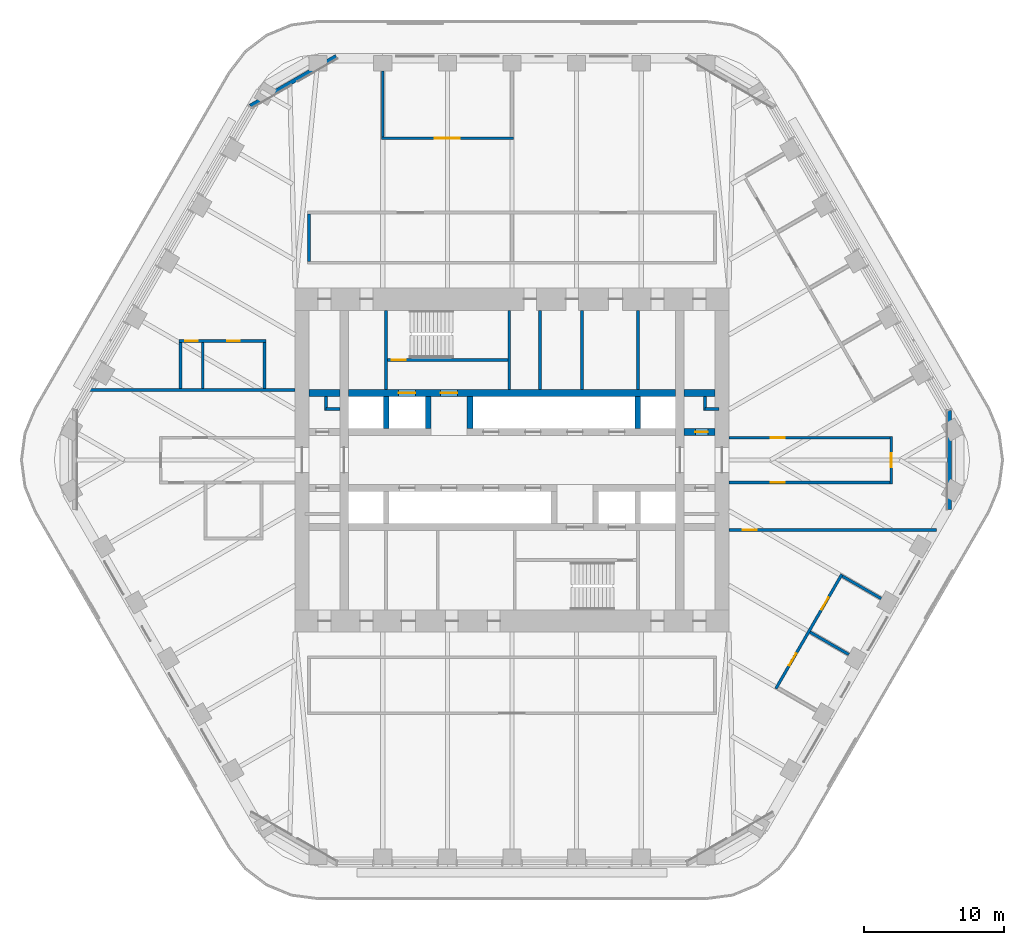
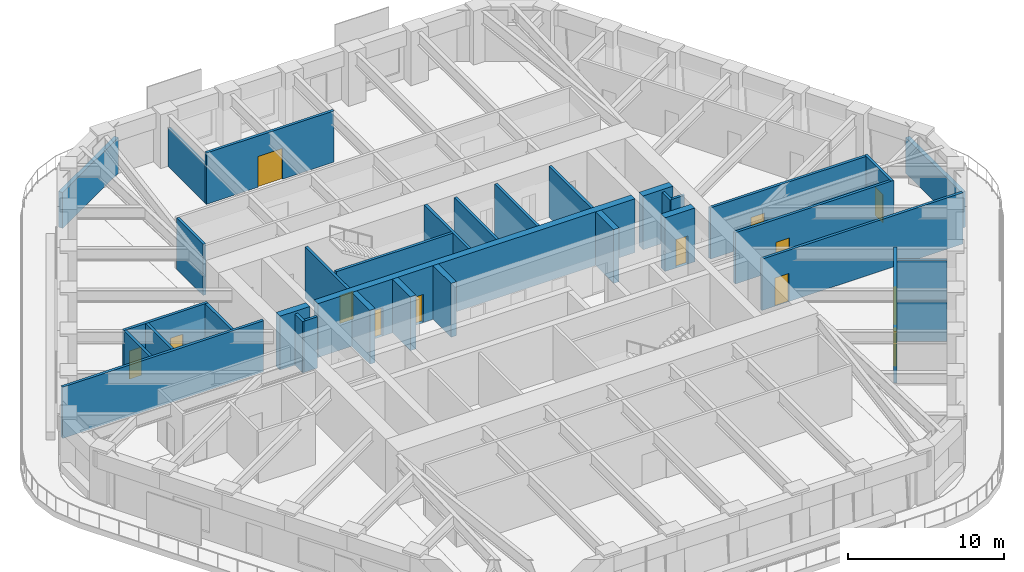
# One storey, part 16 of 20: 35 walls, 13 doors, 13 openings.
"""IFC4 building model written with IfcOpenShell, lengths in metres."""

from ifc_helpers import new_model, si_unit, direction, frame, frame_2d, origin, place, context, subcontext, project, spatial, rectangle, extrude, material, layer, layer_set, type_object, element, fill, save


model = new_model("IFC4")

# Units and contexts
model_context = context("Model", 3, precision=1e-05, world=origin(), true_north=direction((0.0, 1.0)))
body_context = subcontext(model_context, "Body", "Model", "MODEL_VIEW")
ifc_project = project(units=[si_unit("LENGTHUNIT", "METRE"), si_unit("AREAUNIT", "SQUARE_METRE"), si_unit("VOLUMEUNIT", "CUBIC_METRE"), si_unit("PLANEANGLEUNIT", "RADIAN"), si_unit("MASSUNIT", "GRAM", prefix="KILO")], contexts=[model_context])

# Site, building, storey
site_placement = place(None, origin())
site = spatial("IfcSite", under=ifc_project, at=site_placement, CompositionType="ELEMENT")
building_placement = place(site_placement, origin())
building = spatial("IfcBuilding", under=site, at=building_placement, Name="Tarfa Lantern Tower", CompositionType="ELEMENT")
storey_placement = place(building_placement, frame((0.0, 0.0, 236.5)))
storey = spatial("IfcBuildingStorey", under=building, at=storey_placement, Name="L53", CompositionType="ELEMENT", Elevation=236.5)

# Walls
ifc_material_1 = material(Name="Limestone cladding on blockwork", Category="masonry")
ifc_layer_1 = layer(ifc_material_1, 0.300048828125)
ifc_layer_set_1 = layer_set([ifc_layer_1], Name="EW1 STONE-CLAD WALL 300")
wall_type_1 = type_object("IfcWallType", Name="EW1 STONE-CLAD WALL 300", PredefinedType="SOLIDWALL", material=ifc_layer_set_1)
wall_1_placement = place(storey_placement, frame((-12.556396484375, 28.85009765625, 0.0), z_axis=(0.0, 0.0, 1.0), x_axis=(-0.866010973379, -0.500024993363, 0.0)))
element("IfcWall", 1, at=wall_1_placement, inside=storey, type_object=wall_type_1, Name="Garden wall N-NW", PredefinedType="SOLIDWALL", context=body_context, shape_type="SweptSolid", body=[
    extrude(rectangle(XDim=7.101806640625, YDim=0.300048828125, at=frame_2d((3.55078125, 0.0))), origin(), (0.0, 0.0, 1.0), 2.800048828125),
])
wall_2_placement = place(storey_placement, frame((31.262939453125, -3.55078125, 0.0), z_axis=(0.0, 0.0, 1.0), x_axis=(0.0, 1.0, 0.0)))
element("IfcWall", 2, at=wall_2_placement, inside=storey, type_object=wall_type_1, Name="Garden wall SE-NE", PredefinedType="SOLIDWALL", context=body_context, shape_type="SweptSolid", body=[
    extrude(rectangle(XDim=7.1015625, YDim=0.300048828125, at=frame_2d((3.55078125, 0.0))), origin(), (0.0, 0.0, 1.0), 2.800048828125),
])
ifc_material_2 = material(Name="Concrete blockwork", Category="masonry")
ifc_layer_2 = layer(ifc_material_2, 0.199951171875)
ifc_layer_set_2 = layer_set([ifc_layer_2], Name="IW1 BLOCKWORK PARTITION 200 EI 120")
wall_type_2 = type_object("IfcWallType", Name="IW1 BLOCKWORK PARTITION 200 EI 120", PredefinedType="PARTITIONING", material=ifc_layer_set_2)
for number, where, z_axis, x_axis, name in (
    (3, (-9.0, 5.050048828125, 0.0), (0.0, 0.0, 1.0), (0.0, 1.0, 0.0), "Core partition"),
    (4, (9.0, 5.050048828125, 0.0), (0.0, 0.0, 1.0), (0.0, 1.0, 0.0), "Core partition"),
    (5, (2.0, 5.050048828125, 0.0), (0.0, 0.0, 1.0), (0.0, 1.0, 0.0), "Core partition"),
    (6, (5.0, 5.050048828125, 0.0), (0.0, 0.0, 1.0), (0.0, 1.0, 0.0), "Core partition"),
):
    element("IfcWall", number, at=place(storey_placement, frame(where, z_axis=z_axis, x_axis=x_axis)), inside=storey, type_object=wall_type_2, Name=name, PredefinedType="PARTITIONING", context=body_context, shape_type="SweptSolid", body=[
        extrude(rectangle(XDim=5.64990234375, YDim=0.199951171875, at=frame_2d((2.824951171875, 0.0))), origin(), (0.0, 0.0, 1.0), 4.0),
    ])
for number, where, z_axis, x_axis, name in (
    (7, (-13.300048828125, 3.64990234375, 0.0), (0.0, 0.0, 1.0), (1.0, 0.0, 0.0), "Core partition"),
    (8, (-13.300048828125, 3.550048828125, 0.0), (0.0, 0.0, 1.0), (0.0, 1.0, 0.0), "Core partition"),
    (9, (13.800048828125, 3.64990234375, 0.0), (0.0, 0.0, 1.0), (1.0, 0.0, 0.0), "Core partition"),
    (10, (13.800048828125, 3.550048828125, 0.0), (0.0, 0.0, 1.0), (0.0, 1.0, 0.0), "Core partition"),
):
    element("IfcWall", number, at=place(storey_placement, frame(where, z_axis=z_axis, x_axis=x_axis)), inside=storey, type_object=wall_type_2, Name=name, PredefinedType="PARTITIONING", context=body_context, shape_type="SweptSolid", body=[
        extrude(rectangle(XDim=1.0, YDim=0.199951171875, at=frame_2d((0.5, 0.0))), origin(), (0.0, 0.0, 1.0), 4.0),
    ])
ifc_material_3 = material(Name="Gypsum board on steel studs", Category="steel")
ifc_layer_3 = layer(ifc_material_3, 0.2099609375)
ifc_layer_set_3 = layer_set([ifc_layer_3], Name="IW2 ACOUSTIC PARTITION 200")
wall_type_3 = type_object("IfcWallType", Name="IW2 ACOUSTIC PARTITION 200", PredefinedType="PARTITIONING", material=ifc_layer_set_3)
wall_3_placement = place(storey_placement, frame((-14.5, 14.199951171875, 0.0), z_axis=(0.0, 0.0, 1.0), x_axis=(0.0, 1.0, 0.0)))
element("IfcWall", 11, at=wall_3_placement, inside=storey, type_object=wall_type_3, Name="Partition", PredefinedType="PARTITIONING", context=body_context, shape_type="SweptSolid", body=[
    extrude(rectangle(XDim=3.400146484375, YDim=0.199951171875, at=frame_2d((1.7001953125, 0.0))), origin(), (0.0, 0.0, 1.0), 4.0),
])

# Wall, opening, door
wall_4_placement = place(storey_placement, frame((0.10009765625, 23.0, 0.0), z_axis=(0.0, 0.0, 1.0), x_axis=(-1.0, 0.0, 0.0)))
wall_4 = element("IfcWall", 12, at=wall_4_placement, inside=storey, type_object=wall_type_3, Name="Partition", PredefinedType="PARTITIONING", context=body_context, shape_type="SweptSolid", body=[
    extrude(rectangle(XDim=9.437744140625, YDim=0.199951171875, at=frame_2d((4.71875, 0.0))), origin(), (0.0, 0.0, 1.0), 4.0),
])
opening_1_placement = place(wall_4_placement, frame((3.81884765625, 0.0, 0.0)))
opening_1 = element("IfcOpeningElement", 13, at=opening_1_placement, cuts=wall_4, Name="Opening D27", PredefinedType="OPENING", context=body_context, shape_type="SweptSolid", body=[
    extrude(rectangle(XDim=1.800048828125, YDim=2.39990234375, at=frame_2d((0.89990234375, 1.199951171875))), frame((0.0, 0.10986328125, 0.0), z_axis=(0.0, -1.0, 0.0), x_axis=(1.0, 0.0, 0.0)), (0.0, 0.0, 1.0), 0.219970703125),
])
ifc_material_4 = material(Name="Timber door", Category="wood")
door_type_1 = type_object("IfcDoorType", Name="DR2 ROOM DOOR 1800x2400", OperationType="DOUBLE_DOOR_SINGLE_SWING", PredefinedType="DOOR", material=ifc_material_4)
door_1_placement = place(opening_1_placement, frame((1.800048828125, 0.0, 0.0), z_axis=(0.0, 0.0, 1.0), x_axis=(-1.0, 0.0, 0.0)))
door_1 = element("IfcDoor", 14, at=door_1_placement, inside=storey, type_object=door_type_1, Name="Hearing room door", OperationType="DOUBLE_DOOR_SINGLE_SWING", OverallHeight=2.39990234375, OverallWidth=1.800048828125, PredefinedType="DOOR", context=body_context, shape_type="SweptSolid", body=[
    extrude(rectangle(XDim=1.800048828125, YDim=2.39990234375, at=frame_2d((0.89990234375, 1.199951171875))), frame((0.0, 0.02490234375, 0.0), z_axis=(0.0, -1.0, 0.0), x_axis=(1.0, 0.0, 0.0)), (0.0, 0.0, 1.0), 0.050048828125),
])
fill(opening_1, door_1)

# Wall
wall_5_placement = place(storey_placement, frame((-9.237548828125, 23.10009765625, 0.0), z_axis=(0.0, 0.0, 1.0), x_axis=(0.0, 1.0, 0.0)))
element("IfcWall", 15, at=wall_5_placement, inside=storey, type_object=wall_type_3, Name="Partition", PredefinedType="PARTITIONING", context=body_context, shape_type="SweptSolid", body=[
    extrude(rectangle(XDim=4.699951171875, YDim=0.199951171875, at=frame_2d((2.35009765625, 0.0))), origin(), (0.0, 0.0, 1.0), 2.991943359375),
])

# Wall, openings, doors
wall_6_placement = place(storey_placement, frame((18.858154296875, -16.336669921875, 0.0), z_axis=(0.0, 0.0, 1.0), x_axis=(0.499989672313, 0.866031366395, 0.0)))
wall_6 = element("IfcWall", 16, at=wall_6_placement, inside=storey, type_object=wall_type_3, Name="Partition", PredefinedType="PARTITIONING", context=body_context, shape_type="SweptSolid", body=[
    extrude(rectangle(XDim=9.437744140625, YDim=0.199951171875, at=frame_2d((4.71875, 0.0))), origin(), (0.0, 0.0, 1.0), 4.0),
])
opening_2_placement = place(wall_6_placement, frame((1.909423828125, 0.0, 0.0)))
opening_2 = element("IfcOpeningElement", 17, at=opening_2_placement, cuts=wall_6, Name="Opening D32", PredefinedType="OPENING", context=body_context, shape_type="SweptSolid", body=[
    extrude(rectangle(XDim=1.0, YDim=2.199951171875, at=frame_2d((0.5, 1.10009765625))), frame((0.0, 0.10986328125, 0.0), z_axis=(0.0, -1.0, 0.0), x_axis=(1.0, 0.0, 0.0)), (0.0, 0.0, 1.0), 0.219970703125),
])
opening_3_placement = place(wall_6_placement, frame((6.5283203125, 0.0, 0.0)))
opening_3 = element("IfcOpeningElement", 18, at=opening_3_placement, cuts=wall_6, Name="Opening D33", PredefinedType="OPENING", context=body_context, shape_type="SweptSolid", body=[
    extrude(rectangle(XDim=1.0, YDim=2.199951171875, at=frame_2d((0.5, 1.10009765625))), frame((0.0, 0.10986328125, 0.0), z_axis=(0.0, -1.0, 0.0), x_axis=(1.0, 0.0, 0.0)), (0.0, 0.0, 1.0), 0.219970703125),
])
door_type_2 = type_object("IfcDoorType", Name="DR1 ROOM DOOR 1000x2200", OperationType="SINGLE_SWING_LEFT", PredefinedType="DOOR", material=ifc_material_4)
door_2_placement = place(opening_2_placement, frame((1.0, 0.0, 0.0), z_axis=(0.0, 0.0, 1.0), x_axis=(-1.0, 0.0, 0.0)))
door_2 = element("IfcDoor", 19, at=door_2_placement, inside=storey, type_object=door_type_2, Name="Investigator's office door", OperationType="SINGLE_SWING_LEFT", OverallHeight=2.199951171875, OverallWidth=1.0, PredefinedType="DOOR", context=body_context, shape_type="SweptSolid", body=[
    extrude(rectangle(XDim=1.0, YDim=2.199951171875, at=frame_2d((0.5, 1.10009765625))), frame((0.0, 0.02490234375, 0.0), z_axis=(0.0, -1.0, 0.0), x_axis=(1.0, 0.0, 0.0)), (0.0, 0.0, 1.0), 0.050048828125),
])
fill(opening_2, door_2)
door_3_placement = place(opening_3_placement, frame((1.0, 0.0, 0.0), z_axis=(0.0, 0.0, 1.0), x_axis=(-1.0, 0.0, 0.0)))
door_3 = element("IfcDoor", 20, at=door_3_placement, inside=storey, type_object=door_type_2, Name="Investigator's office door", OperationType="SINGLE_SWING_RIGHT", OverallHeight=2.199951171875, OverallWidth=1.0, PredefinedType="DOOR", context=body_context, shape_type="SweptSolid", body=[
    extrude(rectangle(XDim=1.0, YDim=2.199951171875, at=frame_2d((0.5, 1.10009765625))), frame((0.0, 0.02490234375, 0.0), z_axis=(0.0, -1.0, 0.0), x_axis=(1.0, 0.0, 0.0)), (0.0, 0.0, 1.0), 0.050048828125),
])
fill(opening_3, door_3)

# Walls
wall_7_placement = place(storey_placement, frame((21.30419921875, -12.300048828125, 0.0), z_axis=(0.0, 0.0, 1.0), x_axis=(0.866042017984, -0.499971222258, 0.0)))
element("IfcWall", 21, at=wall_7_placement, inside=storey, type_object=wall_type_3, Name="Partition", PredefinedType="PARTITIONING", context=body_context, shape_type="SweptSolid", body=[
    extrude(rectangle(XDim=3.199951171875, YDim=0.199951171875, at=frame_2d((1.60009765625, 0.0))), origin(), (0.0, 0.0, 1.0), 3.08154296875),
])
wall_8_placement = place(storey_placement, frame((23.613525390625, -8.300048828125, 0.0), z_axis=(0.0, 0.0, 1.0), x_axis=(0.866061088033, -0.499938187974, 0.0)))
element("IfcWall", 22, at=wall_8_placement, inside=storey, type_object=wall_type_3, Name="Partition", PredefinedType="PARTITIONING", context=body_context, shape_type="SweptSolid", body=[
    extrude(rectangle(XDim=3.2001953125, YDim=0.199951171875, at=frame_2d((1.60009765625, 0.0))), origin(), (0.0, 0.0, 1.0), 3.08154296875),
])

# Wall, opening, door
wall_9_placement = place(storey_placement, frame((15.5, 1.60009765625, 0.0), z_axis=(0.0, 0.0, 1.0), x_axis=(1.0, 0.0, 0.0)))
wall_9 = element("IfcWall", 23, at=wall_9_placement, inside=storey, type_object=wall_type_3, Name="Partition", PredefinedType="PARTITIONING", context=body_context, shape_type="SweptSolid", body=[
    extrude(rectangle(XDim=11.699951171875, YDim=0.199951171875, at=frame_2d((5.85009765625, 0.0))), origin(), (0.0, 0.0, 1.0), 4.0),
])
opening_4_placement = place(wall_9_placement, frame((3.010009765625, 0.0, 0.0)))
opening_4 = element("IfcOpeningElement", 24, at=opening_4_placement, cuts=wall_9, Name="Opening D41", PredefinedType="OPENING", context=body_context, shape_type="SweptSolid", body=[
    extrude(rectangle(XDim=1.0, YDim=2.199951171875, at=frame_2d((0.5, 1.10009765625))), frame((0.0, 0.10986328125, 0.0), z_axis=(0.0, -1.0, 0.0), x_axis=(1.0, 0.0, 0.0)), (0.0, 0.0, 1.0), 0.219970703125),
])
door_4_placement = place(opening_4_placement, origin())
door_4 = element("IfcDoor", 25, at=door_4_placement, inside=storey, type_object=door_type_2, Name="Corridor door", OperationType="SINGLE_SWING_RIGHT", OverallHeight=2.199951171875, OverallWidth=1.0, PredefinedType="DOOR", context=body_context, shape_type="SweptSolid", body=[
    extrude(rectangle(XDim=1.0, YDim=2.199951171875, at=frame_2d((0.5, 1.10009765625))), frame((0.0, 0.02490234375, 0.0), z_axis=(0.0, -1.0, 0.0), x_axis=(1.0, 0.0, 0.0)), (0.0, 0.0, 1.0), 0.050048828125),
])
fill(opening_4, door_4)

wall_10_placement = place(storey_placement, frame((15.5, -1.60009765625, 0.0), z_axis=(0.0, 0.0, 1.0), x_axis=(1.0, 0.0, 0.0)))
wall_10 = element("IfcWall", 26, at=wall_10_placement, inside=storey, type_object=wall_type_3, Name="Partition", PredefinedType="PARTITIONING", context=body_context, shape_type="SweptSolid", body=[
    extrude(rectangle(XDim=11.699951171875, YDim=0.199951171875, at=frame_2d((5.85009765625, 0.0))), origin(), (0.0, 0.0, 1.0), 4.0),
])
opening_5_placement = place(wall_10_placement, frame((3.010009765625, 0.0, 0.0)))
opening_5 = element("IfcOpeningElement", 27, at=opening_5_placement, cuts=wall_10, Name="Opening D42", PredefinedType="OPENING", context=body_context, shape_type="SweptSolid", body=[
    extrude(rectangle(XDim=1.0, YDim=2.199951171875, at=frame_2d((0.5, 1.10009765625))), frame((0.0, 0.10986328125, 0.0), z_axis=(0.0, -1.0, 0.0), x_axis=(1.0, 0.0, 0.0)), (0.0, 0.0, 1.0), 0.219970703125),
])
door_5_placement = place(opening_5_placement, frame((1.0, 0.0, 0.0), z_axis=(0.0, 0.0, 1.0), x_axis=(-1.0, 0.0, 0.0)))
door_5 = element("IfcDoor", 28, at=door_5_placement, inside=storey, type_object=door_type_2, Name="Corridor door", OperationType="SINGLE_SWING_LEFT", OverallHeight=2.199951171875, OverallWidth=1.0, PredefinedType="DOOR", context=body_context, shape_type="SweptSolid", body=[
    extrude(rectangle(XDim=1.0, YDim=2.199951171875, at=frame_2d((0.5, 1.10009765625))), frame((0.0, 0.02490234375, 0.0), z_axis=(0.0, -1.0, 0.0), x_axis=(1.0, 0.0, 0.0)), (0.0, 0.0, 1.0), 0.050048828125),
])
fill(opening_5, door_5)

wall_11_placement = place(storey_placement, frame((27.10009765625, -1.699951171875, 0.0), z_axis=(0.0, 0.0, 1.0), x_axis=(0.0, 1.0, 0.0)))
wall_11 = element("IfcWall", 29, at=wall_11_placement, inside=storey, type_object=wall_type_3, Name="Partition", PredefinedType="PARTITIONING", context=body_context, shape_type="SweptSolid", body=[
    extrude(rectangle(XDim=3.39990234375, YDim=0.199951171875, at=frame_2d((1.699951171875, 0.0))), origin(), (0.0, 0.0, 1.0), 4.0),
])
opening_6_placement = place(wall_11_placement, frame((1.199951171875, 0.0, 0.0)))
opening_6 = element("IfcOpeningElement", 30, at=opening_6_placement, cuts=wall_11, Name="Opening D40", PredefinedType="OPENING", context=body_context, shape_type="SweptSolid", body=[
    extrude(rectangle(XDim=1.0, YDim=2.199951171875, at=frame_2d((0.5, 1.10009765625))), frame((0.0, 0.10986328125, 0.0), z_axis=(0.0, -1.0, 0.0), x_axis=(1.0, 0.0, 0.0)), (0.0, 0.0, 1.0), 0.219970703125),
])
door_6_placement = place(opening_6_placement, frame((1.0, 0.0, 0.0), z_axis=(0.0, 0.0, 1.0), x_axis=(-1.0, 0.0, 0.0)))
door_6 = element("IfcDoor", 31, at=door_6_placement, inside=storey, type_object=door_type_2, Name="Corridor door", OperationType="SINGLE_SWING_LEFT", OverallHeight=2.199951171875, OverallWidth=1.0, PredefinedType="DOOR", context=body_context, shape_type="SweptSolid", body=[
    extrude(rectangle(XDim=1.0, YDim=2.199951171875, at=frame_2d((0.5, 1.10009765625))), frame((0.0, 0.02490234375, 0.0), z_axis=(0.0, -1.0, 0.0), x_axis=(1.0, 0.0, 0.0)), (0.0, 0.0, 1.0), 0.050048828125),
])
fill(opening_6, door_6)

wall_12_placement = place(storey_placement, frame((15.5, -5.0, 0.0), z_axis=(0.0, 0.0, 1.0), x_axis=(1.0, 0.0, 0.0)))
wall_12 = element("IfcWall", 32, at=wall_12_placement, inside=storey, type_object=wall_type_3, Name="Partition", PredefinedType="PARTITIONING", context=body_context, shape_type="SweptSolid", body=[
    extrude(rectangle(XDim=14.845458984375, YDim=0.199951171875, at=frame_2d((7.4228515625, 0.0))), origin(), (0.0, 0.0, 1.0), 4.0),
])
opening_7_placement = place(wall_12_placement, frame((0.984619140625, 0.0, 0.0)))
opening_7 = element("IfcOpeningElement", 33, at=opening_7_placement, cuts=wall_12, Name="Opening D46", PredefinedType="OPENING", context=body_context, shape_type="SweptSolid", body=[
    extrude(rectangle(XDim=1.0, YDim=2.199951171875, at=frame_2d((0.5, 1.10009765625))), frame((0.0, 0.10986328125, 0.0), z_axis=(0.0, -1.0, 0.0), x_axis=(1.0, 0.0, 0.0)), (0.0, 0.0, 1.0), 0.219970703125),
])
door_7_placement = place(opening_7_placement, origin())
door_7 = element("IfcDoor", 34, at=door_7_placement, inside=storey, type_object=door_type_2, Name="Zone door", OperationType="SINGLE_SWING_RIGHT", OverallHeight=2.199951171875, OverallWidth=1.0, PredefinedType="DOOR", context=body_context, shape_type="SweptSolid", body=[
    extrude(rectangle(XDim=1.0, YDim=2.199951171875, at=frame_2d((0.5, 1.10009765625))), frame((0.0, 0.02490234375, 0.0), z_axis=(0.0, -1.0, 0.0), x_axis=(1.0, 0.0, 0.0)), (0.0, 0.0, 1.0), 0.050048828125),
])
fill(opening_7, door_7)

# Wall
wall_13_placement = place(storey_placement, frame((-15.5, 5.0, 0.0), z_axis=(0.0, 0.0, 1.0), x_axis=(-1.0, 0.0, 0.0)))
element("IfcWall", 35, at=wall_13_placement, inside=storey, type_object=wall_type_3, Name="Partition", PredefinedType="PARTITIONING", context=body_context, shape_type="SweptSolid", body=[
    extrude(rectangle(XDim=14.845458984375, YDim=0.199951171875, at=frame_2d((7.4228515625, 0.0))), origin(), (0.0, 0.0, 1.0), 4.0),
])

# Wall, openings, doors
wall_14_placement = place(storey_placement, frame((-17.595947265625, 8.5, 0.0), z_axis=(0.0, 0.0, 1.0), x_axis=(-1.0, 0.0, 0.0)))
wall_14 = element("IfcWall", 36, at=wall_14_placement, inside=storey, type_object=wall_type_3, Name="Partition", PredefinedType="PARTITIONING", context=body_context, shape_type="SweptSolid", body=[
    extrude(rectangle(XDim=6.199951171875, YDim=0.199951171875, at=frame_2d((3.10009765625, 0.0))), origin(), (0.0, 0.0, 1.0), 4.0),
])
opening_8_placement = place(wall_14_placement, frame((1.85009765625, 0.0, 0.0)))
opening_8 = element("IfcOpeningElement", 37, at=opening_8_placement, cuts=wall_14, Name="Opening D38", PredefinedType="OPENING", context=body_context, shape_type="SweptSolid", body=[
    extrude(rectangle(XDim=0.89990234375, YDim=2.199951171875, at=frame_2d((0.449951171875, 1.10009765625))), frame((0.0, 0.10986328125, 0.0), z_axis=(0.0, -1.0, 0.0), x_axis=(1.0, 0.0, 0.0)), (0.0, 0.0, 1.0), 0.219970703125),
])
opening_9_placement = place(wall_14_placement, frame((4.85009765625, 0.0, 0.0)))
opening_9 = element("IfcOpeningElement", 38, at=opening_9_placement, cuts=wall_14, Name="Opening D39", PredefinedType="OPENING", context=body_context, shape_type="SweptSolid", body=[
    extrude(rectangle(XDim=0.89990234375, YDim=2.199951171875, at=frame_2d((0.449951171875, 1.10009765625))), frame((0.0, 0.10986328125, 0.0), z_axis=(0.0, -1.0, 0.0), x_axis=(1.0, 0.0, 0.0)), (0.0, 0.0, 1.0), 0.219970703125),
])
door_type_3 = type_object("IfcDoorType", Name="DR3 ROOM DOOR 900x2200", OperationType="SINGLE_SWING_LEFT", PredefinedType="DOOR", material=ifc_material_4)
door_8_placement = place(opening_8_placement, origin())
door_8 = element("IfcDoor", 39, at=door_8_placement, inside=storey, type_object=door_type_3, Name="Meeting room door", OperationType="SINGLE_SWING_RIGHT", OverallHeight=2.199951171875, OverallWidth=0.89990234375, PredefinedType="DOOR", context=body_context, shape_type="SweptSolid", body=[
    extrude(rectangle(XDim=0.89990234375, YDim=2.199951171875, at=frame_2d((0.449951171875, 1.10009765625))), frame((0.0, 0.02490234375, 0.0), z_axis=(0.0, -1.0, 0.0), x_axis=(1.0, 0.0, 0.0)), (0.0, 0.0, 1.0), 0.050048828125),
])
fill(opening_8, door_8)
door_9_placement = place(opening_9_placement, origin())
door_9 = element("IfcDoor", 40, at=door_9_placement, inside=storey, type_object=door_type_3, Name="Phone booth door", OperationType="SINGLE_SWING_LEFT", OverallHeight=2.199951171875, OverallWidth=0.89990234375, PredefinedType="DOOR", context=body_context, shape_type="SweptSolid", body=[
    extrude(rectangle(XDim=0.89990234375, YDim=2.199951171875, at=frame_2d((0.449951171875, 1.10009765625))), frame((0.0, 0.02490234375, 0.0), z_axis=(0.0, -1.0, 0.0), x_axis=(1.0, 0.0, 0.0)), (0.0, 0.0, 1.0), 0.050048828125),
])
fill(opening_9, door_9)

# Walls
for number, where, z_axis, x_axis, name in (
    (41, (-17.69580078125, 5.10009765625, 0.0), (0.0, 0.0, 1.0), (0.0, 1.0, 0.0), "Partition"),
    (42, (-22.095947265625, 5.10009765625, 0.0), (0.0, 0.0, 1.0), (0.0, 1.0, 0.0), "Partition"),
    (43, (-23.69580078125, 5.10009765625, 0.0), (0.0, 0.0, 1.0), (0.0, 1.0, 0.0), "Partition"),
):
    element("IfcWall", number, at=place(storey_placement, frame(where, z_axis=z_axis, x_axis=x_axis)), inside=storey, type_object=wall_type_3, Name=name, PredefinedType="PARTITIONING", context=body_context, shape_type="SweptSolid", body=[
        extrude(rectangle(XDim=3.2998046875, YDim=0.199951171875, at=frame_2d((1.64990234375, 0.0))), origin(), (0.0, 0.0, 1.0), 4.0),
    ])
ifc_material_5 = material(Name="Concrete C80/95", Category="concrete")
ifc_layer_4 = layer(ifc_material_5, 0.199951171875)
ifc_layer_set_4 = layer_set([ifc_layer_4], Name="SW12 CORE WALL 200")
wall_type_4 = type_object("IfcWallType", Name="SW12 CORE WALL 200", PredefinedType="SHEAR", material=ifc_layer_set_4)
wall_15_placement = place(storey_placement, frame((-0.199951171875, 5.050048828125, 0.0), z_axis=(0.0, 0.0, 1.0), x_axis=(0.0, 1.0, 0.0)))
element("IfcWall", 44, at=wall_15_placement, inside=storey, type_object=wall_type_4, Name="Core wall stair shaft N", PredefinedType="SHEAR", context=body_context, shape_type="SweptSolid", body=[
    extrude(rectangle(XDim=5.64990234375, YDim=0.199951171875, at=frame_2d((2.824951171875, 0.0))), origin(), (0.0, 0.0, 1.0), 4.199951171875),
])

# Wall, opening, door
wall_16_placement = place(storey_placement, frame((-8.89990234375, 7.14990234375, 0.0), z_axis=(0.0, 0.0, 1.0), x_axis=(1.0, 0.0, 0.0)))
wall_16 = element("IfcWall", 45, at=wall_16_placement, inside=storey, type_object=wall_type_4, Name="Core wall stair partition N", PredefinedType="SHEAR", context=body_context, shape_type="SweptSolid", body=[
    extrude(rectangle(XDim=8.599853515625, YDim=0.199951171875, at=frame_2d((4.2998046875, 0.0))), origin(), (0.0, 0.0, 1.0), 4.199951171875),
])
opening_10_placement = place(wall_16_placement, frame((0.300048828125, 0.0, 0.0)))
opening_10 = element("IfcOpeningElement", 46, at=opening_10_placement, cuts=wall_16, Name="Opening D23", PredefinedType="OPENING", context=body_context, shape_type="SweptSolid", body=[
    extrude(rectangle(XDim=1.0, YDim=2.199951171875, at=frame_2d((0.5, 1.10009765625))), frame((0.0, 0.10986328125, 0.0), z_axis=(0.0, -1.0, 0.0), x_axis=(1.0, 0.0, 0.0)), (0.0, 0.0, 1.0), 0.219970703125),
])
ifc_material_6 = material(Name="Steel fire door", Category="steel")
door_type_4 = type_object("IfcDoorType", Name="DF2 STAIR DOOR 1000x2200", OperationType="SINGLE_SWING_LEFT", PredefinedType="DOOR", material=ifc_material_6)
door_10_placement = place(opening_10_placement, origin())
door_10 = element("IfcDoor", 47, at=door_10_placement, inside=storey, type_object=door_type_4, Name="Stair door", OperationType="SINGLE_SWING_RIGHT", OverallHeight=2.199951171875, OverallWidth=1.0, PredefinedType="DOOR", context=body_context, shape_type="SweptSolid", body=[
    extrude(rectangle(XDim=1.0, YDim=2.199951171875, at=frame_2d((0.5, 1.10009765625))), frame((0.0, 0.02490234375, 0.0), z_axis=(0.0, -1.0, 0.0), x_axis=(1.0, 0.0, 0.0)), (0.0, 0.0, 1.0), 0.050048828125),
])
fill(opening_10, door_10)

ifc_layer_5 = layer(ifc_material_5, 0.5)
ifc_layer_set_5 = layer_set([ifc_layer_5], Name="SW5 CORE WALL 500")
wall_type_5 = type_object("IfcWallType", Name="SW5 CORE WALL 500", PredefinedType="SHEAR", material=ifc_layer_set_5)
wall_17_placement = place(storey_placement, frame((12.300048828125, 2.0, 0.0), z_axis=(0.0, 0.0, 1.0), x_axis=(1.0, 0.0, 0.0)))
wall_17 = element("IfcWall", 48, at=wall_17_placement, inside=storey, type_object=wall_type_5, Name="Core wall lobby east N", PredefinedType="SHEAR", context=body_context, shape_type="SweptSolid", body=[
    extrude(rectangle(XDim=2.199951171875, YDim=0.5, at=frame_2d((1.10009765625, 0.0))), origin(), (0.0, 0.0, 1.0), 4.199951171875),
])
opening_11_placement = place(wall_17_placement, frame((0.800048828125, 0.0, 0.0)))
opening_11 = element("IfcOpeningElement", 49, at=opening_11_placement, cuts=wall_17, Name="Opening D13", PredefinedType="OPENING", context=body_context, shape_type="SweptSolid", body=[
    extrude(rectangle(XDim=0.89990234375, YDim=2.199951171875, at=frame_2d((0.449951171875, 1.10009765625))), frame((0.0, 0.260009765625, 0.0), z_axis=(0.0, -1.0, 0.0), x_axis=(1.0, 0.0, 0.0)), (0.0, 0.0, 1.0), 0.52001953125),
])
door_type_5 = type_object("IfcDoorType", Name="DF6 SERVICE ROOM DOOR 900x2200", OperationType="SINGLE_SWING_LEFT", PredefinedType="DOOR", material=ifc_material_6)
door_11_placement = place(opening_11_placement, origin())
door_11 = element("IfcDoor", 50, at=door_11_placement, inside=storey, type_object=door_type_5, Name="Service room door", OperationType="SINGLE_SWING_LEFT", OverallHeight=2.199951171875, OverallWidth=0.89990234375, PredefinedType="DOOR", context=body_context, shape_type="SweptSolid", body=[
    extrude(rectangle(XDim=0.89990234375, YDim=2.199951171875, at=frame_2d((0.449951171875, 1.10009765625))), frame((0.0, 0.02490234375, 0.0), z_axis=(0.0, -1.0, 0.0), x_axis=(1.0, 0.0, 0.0)), (0.0, 0.0, 1.0), 0.050048828125),
])
fill(opening_11, door_11)

# Wall
wall_18_placement = place(storey_placement, frame((-14.5, 4.800048828125, 0.0), z_axis=(0.0, 0.0, 1.0), x_axis=(1.0, 0.0, 0.0)))
element("IfcWall", 51, at=wall_18_placement, inside=storey, type_object=wall_type_5, Name="Core wall rear N", PredefinedType="SHEAR", context=body_context, shape_type="SweptSolid", body=[
    extrude(rectangle(XDim=2.199951171875, YDim=0.5, at=frame_2d((1.10009765625, 0.0))), origin(), (0.0, 0.0, 1.0), 4.199951171875),
])

# Wall, openings, doors
wall_19_placement = place(storey_placement, frame((-11.699951171875, 4.800048828125, 0.0), z_axis=(0.0, 0.0, 1.0), x_axis=(1.0, 0.0, 0.0)))
wall_19 = element("IfcWall", 52, at=wall_19_placement, inside=storey, type_object=wall_type_5, Name="Core wall rear N", PredefinedType="SHEAR", context=body_context, shape_type="SweptSolid", body=[
    extrude(rectangle(XDim=23.39990234375, YDim=0.5, at=frame_2d((11.699951171875, 0.0))), origin(), (0.0, 0.0, 1.0), 4.199951171875),
])
opening_12_placement = place(wall_19_placement, frame((6.60009765625, 0.0, 0.0)))
opening_12 = element("IfcOpeningElement", 53, at=opening_12_placement, cuts=wall_19, Name="Opening D09", PredefinedType="OPENING", context=body_context, shape_type="SweptSolid", body=[
    extrude(rectangle(XDim=1.199951171875, YDim=2.199951171875, at=frame_2d((0.60009765625, 1.10009765625))), frame((0.0, 0.260009765625, 0.0), z_axis=(0.0, -1.0, 0.0), x_axis=(1.0, 0.0, 0.0)), (0.0, 0.0, 1.0), 0.52001953125),
])
opening_13_placement = place(wall_19_placement, frame((3.60009765625, 0.0, 0.0)))
opening_13 = element("IfcOpeningElement", 54, at=opening_13_placement, cuts=wall_19, Name="Opening LD01", PredefinedType="OPENING", context=body_context, shape_type="SweptSolid", body=[
    extrude(rectangle(XDim=1.199951171875, YDim=2.199951171875, at=frame_2d((0.60009765625, 1.10009765625))), frame((0.0, 0.260009765625, 0.0), z_axis=(0.0, -1.0, 0.0), x_axis=(1.0, 0.0, 0.0)), (0.0, 0.0, 1.0), 0.52001953125),
])
door_type_6 = type_object("IfcDoorType", Name="DF1 FIREFIGHTING LOBBY DOOR 1200x2200", OperationType="SINGLE_SWING_LEFT", PredefinedType="DOOR", material=ifc_material_6)
door_12_placement = place(opening_12_placement, origin())
door_12 = element("IfcDoor", 55, at=door_12_placement, inside=storey, type_object=door_type_6, Name="Firefighting lobby door", OperationType="SINGLE_SWING_LEFT", OverallHeight=2.199951171875, OverallWidth=1.199951171875, PredefinedType="DOOR", context=body_context, shape_type="SweptSolid", body=[
    extrude(rectangle(XDim=1.199951171875, YDim=2.199951171875, at=frame_2d((0.60009765625, 1.10009765625))), frame((0.0, 0.02490234375, 0.0), z_axis=(0.0, -1.0, 0.0), x_axis=(1.0, 0.0, 0.0)), (0.0, 0.0, 1.0), 0.050048828125),
])
fill(opening_12, door_12)
ifc_material_7 = material(Name="Stainless steel lift door", Category="steel")
door_type_7 = type_object("IfcDoorType", Name="LD1 LIFT LANDING DOOR 1200x2200", OperationType="SLIDING_TO_LEFT", PredefinedType="DOOR", material=ifc_material_7)
door_13_placement = place(opening_13_placement, origin())
door_13 = element("IfcDoor", 56, at=door_13_placement, inside=storey, type_object=door_type_7, Name="Landing door FL1", OperationType="SLIDING_TO_LEFT", OverallHeight=2.199951171875, OverallWidth=1.199951171875, PredefinedType="DOOR", context=body_context, shape_type="SweptSolid", body=[
    extrude(rectangle(XDim=1.199951171875, YDim=2.199951171875, at=frame_2d((0.60009765625, 1.10009765625))), frame((0.0, 0.02490234375, 0.0), z_axis=(0.0, -1.0, 0.0), x_axis=(1.0, 0.0, 0.0)), (0.0, 0.0, 1.0), 0.050048828125),
])
fill(opening_13, door_13)

# Walls
wall_20_placement = place(storey_placement, frame((12.300048828125, 4.800048828125, 0.0), z_axis=(0.0, 0.0, 1.0), x_axis=(1.0, 0.0, 0.0)))
element("IfcWall", 57, at=wall_20_placement, inside=storey, type_object=wall_type_5, Name="Core wall rear N", PredefinedType="SHEAR", context=body_context, shape_type="SweptSolid", body=[
    extrude(rectangle(XDim=2.199951171875, YDim=0.5, at=frame_2d((1.10009765625, 0.0))), origin(), (0.0, 0.0, 1.0), 4.199951171875),
])
ifc_layer_6 = layer(ifc_material_5, 0.39990234375)
ifc_layer_set_6 = layer_set([ifc_layer_6], Name="SW6 CORE WALL 400")
wall_type_6 = type_object("IfcWallType", Name="SW6 CORE WALL 400", PredefinedType="SHEAR", material=ifc_layer_set_6)
for number, where, z_axis, x_axis, name in (
    (58, (-9.0, 2.25, 0.0), (0.0, 0.0, 1.0), (0.0, 1.0, 0.0), "Core wall divider N"),
    (59, (-6.0, 2.25, 0.0), (0.0, 0.0, 1.0), (0.0, 1.0, 0.0), "Core wall divider N"),
    (60, (-3.0, 2.25, 0.0), (0.0, 0.0, 1.0), (0.0, 1.0, 0.0), "Core wall divider N"),
    (61, (9.0, 2.25, 0.0), (0.0, 0.0, 1.0), (0.0, 1.0, 0.0), "Core wall divider N"),
):
    element("IfcWall", number, at=place(storey_placement, frame(where, z_axis=z_axis, x_axis=x_axis)), inside=storey, type_object=wall_type_6, Name=name, PredefinedType="SHEAR", context=body_context, shape_type="SweptSolid", body=[
        extrude(rectangle(XDim=2.300048828125, YDim=0.39990234375, at=frame_2d((1.14990234375, 0.0))), origin(), (0.0, 0.0, 1.0), 4.199951171875),
    ])

save(model, "model.ifc")
